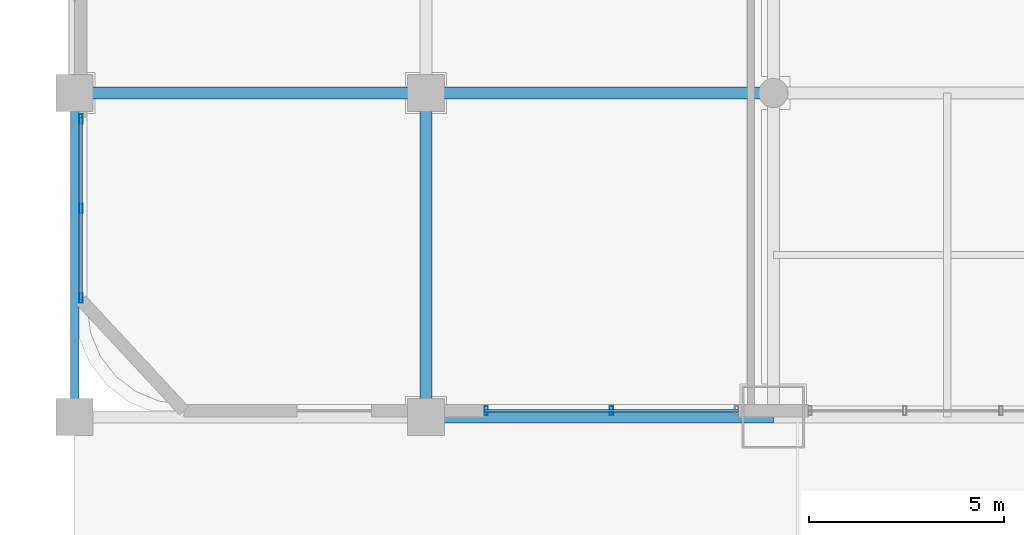
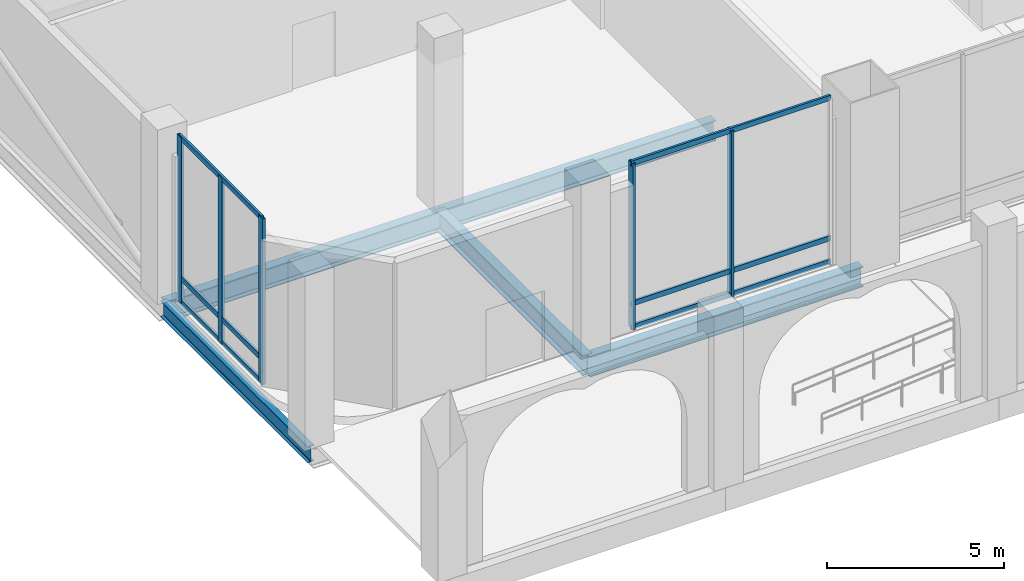
# One storey, part 2 of 32: 11 members, 5 beams, 2 elements without a shape of their own.
"""IFC4 building model written with IfcOpenShell, lengths in metres."""

from ifc_helpers import new_model, si_unit, direction, frame, origin, origin_2d, place, context, subcontext, project, spatial, hollow_rectangle, i_section, extrude, material, material_profile, profile_set, type_object, element, aggregate, save


model = new_model("IFC4")

# Units and contexts
model_context = context("Model", 3, precision=1e-05, world=origin(), true_north=direction((0.0, 1.0)))
body_context = subcontext(model_context, "Body", "Model", "MODEL_VIEW")
ifc_project = project(units=[si_unit("LENGTHUNIT", "METRE"), si_unit("AREAUNIT", "SQUARE_METRE"), si_unit("VOLUMEUNIT", "CUBIC_METRE"), si_unit("PLANEANGLEUNIT", "RADIAN"), si_unit("MASSUNIT", "GRAM", prefix="KILO")], contexts=[model_context])

# Site, building, storey
site_placement = place(None, origin())
site = spatial("IfcSite", under=ifc_project, at=site_placement, CompositionType="ELEMENT")
building_placement = place(site_placement, origin())
building = spatial("IfcBuilding", under=site, at=building_placement, Name="Punatoya Terracotta Tower", CompositionType="ELEMENT")
storey_placement = place(building_placement, origin())
storey = spatial("IfcBuildingStorey", under=building, at=storey_placement, Name="L00", CompositionType="ELEMENT", Elevation=0.0)

# Beams
ifc_material_1 = material(Name="Steel S355", Category="steel")
ifc_material_profile_1 = material_profile(ifc_material_1, i_section(OverallWidth=0.300048828125, OverallDepth=0.699951171875, WebThickness=0.01708984375, FlangeThickness=0.031982421875, FilletRadius=0.01806640625, at=origin_2d()))
ifc_profile_set_1 = profile_set([ifc_material_profile_1], Name="Steel S355")
beam_type_1 = type_object("IfcBeamType", Name="BM-PRI-700", PredefinedType="BEAM", material=ifc_profile_set_1)
beam_1_placement = place(storey_placement, frame((-28.0, -17.5, -0.6298828125), z_axis=(1.0, 0.0, 0.0), x_axis=(0.0, 1.0, 0.0)))
element("IfcBeam", 1, at=beam_1_placement, inside=storey, type_object=beam_type_1, Name="BM-L00-BW2", PredefinedType="BEAM", context=body_context, shape_type="SweptSolid", body=[
    extrude(i_section(OverallWidth=0.300048828125, OverallDepth=0.699951171875, WebThickness=0.01708984375, FlangeThickness=0.031982421875, FilletRadius=0.01806640625, at=origin_2d()), origin(), (0.0, 0.0, 1.0), 8.89990234375),
])
beam_2_placement = place(storey_placement, frame((-37.0, -9.199951171875, -0.6298828125), z_axis=(1.0, 0.0, 0.0), x_axis=(0.0, 1.0, 0.0)))
element("IfcBeam", 2, at=beam_2_placement, inside=storey, type_object=beam_type_1, Name="BM-L00-CW1", PredefinedType="BEAM", context=body_context, shape_type="SweptSolid", body=[
    extrude(i_section(OverallWidth=0.300048828125, OverallDepth=0.699951171875, WebThickness=0.01708984375, FlangeThickness=0.031982421875, FilletRadius=0.01806640625, at=origin_2d()), origin(), (0.0, 0.0, 1.0), 9.0),
])
beam_3_placement = place(storey_placement, frame((-28.0, -9.199951171875, -0.6298828125), z_axis=(1.0, 0.0, 0.0), x_axis=(0.0, 1.0, 0.0)))
element("IfcBeam", 3, at=beam_3_placement, inside=storey, type_object=beam_type_1, Name="BM-L00-CW2", PredefinedType="BEAM", context=body_context, shape_type="SweptSolid", body=[
    extrude(i_section(OverallWidth=0.300048828125, OverallDepth=0.699951171875, WebThickness=0.01708984375, FlangeThickness=0.031982421875, FilletRadius=0.01806640625, at=origin_2d()), origin(), (0.0, 0.0, 1.0), 8.89990234375),
])
beam_4_placement = place(storey_placement, frame((-28.0, -17.5, -0.6298828125), z_axis=(0.0, 1.0, 0.0), x_axis=(-1.0, 0.0, 0.0)))
element("IfcBeam", 4, at=beam_4_placement, inside=storey, type_object=beam_type_1, Name="BM-L00-X28W--17", PredefinedType="BEAM", context=body_context, shape_type="SweptSolid", body=[
    extrude(i_section(OverallWidth=0.300048828125, OverallDepth=0.699951171875, WebThickness=0.01708984375, FlangeThickness=0.031982421875, FilletRadius=0.01806640625, at=origin_2d()), origin(), (0.0, 0.0, 1.0), 8.300048828125),
])
ifc_material_profile_2 = material_profile(ifc_material_1, i_section(OverallWidth=0.2099609375, OverallDepth=0.550048828125, WebThickness=0.010986328125, FlangeThickness=0.01708984375, FilletRadius=0.01806640625, at=origin_2d()))
ifc_profile_set_2 = profile_set([ifc_material_profile_2], Name="Steel S355")
beam_type_2 = type_object("IfcBeamType", Name="BM-SPN-550", PredefinedType="SPANDREL", material=ifc_profile_set_2)
beam_5_placement = place(storey_placement, frame((-37.0, -17.5, -0.554931640625), z_axis=(0.0, 1.0, 0.0), x_axis=(-1.0, 0.0, 0.0)))
element("IfcBeam", 5, at=beam_5_placement, inside=storey, type_object=beam_type_2, Name="BM-L00-X37W--17", PredefinedType="SPANDREL", context=body_context, shape_type="SweptSolid", body=[
    extrude(i_section(OverallWidth=0.2099609375, OverallDepth=0.550048828125, WebThickness=0.010986328125, FlangeThickness=0.01708984375, FilletRadius=0.01806640625, at=origin_2d()), origin(), (0.0, 0.0, 1.0), 8.300048828125),
])

# Curtain wall, members
ifc_material_2 = material(Name="Aluminium 6063-T6 + Double Low-E Glass", Category="aluminium")
curtain_wall_type = type_object("IfcCurtainWallType", Name="CW-POD", PredefinedType="NOTDEFINED", material=ifc_material_2)
curtain_wall_1_placement = place(storey_placement, origin())
curtain_wall_1 = element("IfcCurtainWall", 6, at=curtain_wall_1_placement, inside=storey, type_object=curtain_wall_type, Name="L00 Curtain Wall CWP-L00-S1A", PredefinedType="NOTDEFINED")
ifc_material_3 = material(Name="Aluminium 6063-T6", Category="aluminium")
ifc_material_profile_3 = material_profile(ifc_material_3, hollow_rectangle(XDim=0.0849609375, YDim=0.239990234375, WallThickness=0.0048828125, at=origin_2d()))
ifc_profile_set_3 = profile_set([ifc_material_profile_3], Name="Aluminium 6063-T6")
member_type_1 = type_object("IfcMemberType", Name="CW-MUL-POD", PredefinedType="MULLION", material=ifc_profile_set_3)
member_1_placement = place(storey_placement, frame((-26.455078125, -17.340087890625, 0.0), z_axis=(0.0, 0.0, 1.0), x_axis=(1.0, 0.0, 0.0)))
member_1 = element("IfcMember", 7, at=member_1_placement, type_object=member_type_1, Name="CWP-L00-S1A Mullion 00", PredefinedType="MULLION", context=body_context, shape_type="SweptSolid", body=[
    extrude(hollow_rectangle(XDim=0.0849609375, YDim=0.239990234375, WallThickness=0.0048828125, at=origin_2d()), origin(), (0.0, 0.0, 1.0), 5.719970703125),
])
member_2_placement = place(storey_placement, frame((-23.25, -17.340087890625, 0.0), z_axis=(0.0, 0.0, 1.0), x_axis=(1.0, 0.0, 0.0)))
member_2 = element("IfcMember", 8, at=member_2_placement, type_object=member_type_1, Name="CWP-L00-S1A Mullion 01", PredefinedType="MULLION", context=body_context, shape_type="SweptSolid", body=[
    extrude(hollow_rectangle(XDim=0.0849609375, YDim=0.239990234375, WallThickness=0.0048828125, at=origin_2d()), origin(), (0.0, 0.0, 1.0), 5.719970703125),
])

curtain_wall_2_placement = place(storey_placement, origin())
curtain_wall_2 = element("IfcCurtainWall", 9, at=curtain_wall_2_placement, inside=storey, type_object=curtain_wall_type, Name="L00 Curtain Wall CWP-L00-W1", PredefinedType="NOTDEFINED")
member_3_placement = place(storey_placement, frame((-36.840087890625, -14.455078125, 0.0), z_axis=(0.0, 0.0, 1.0), x_axis=(1.0, 0.0, 0.0)))
member_3 = element("IfcMember", 10, at=member_3_placement, type_object=member_type_1, Name="CWP-L00-W1 Mullion 00", PredefinedType="MULLION", context=body_context, shape_type="SweptSolid", body=[
    extrude(hollow_rectangle(XDim=0.0849609375, YDim=0.239990234375, WallThickness=0.0048828125, at=origin_2d()), origin(), (0.0, 0.0, 1.0), 5.719970703125),
])
member_4_placement = place(storey_placement, frame((-36.840087890625, -12.159912109375, 0.0), z_axis=(0.0, 0.0, 1.0), x_axis=(1.0, 0.0, 0.0)))
member_4 = element("IfcMember", 11, at=member_4_placement, type_object=member_type_1, Name="CWP-L00-W1 Mullion 01", PredefinedType="MULLION", context=body_context, shape_type="SweptSolid", body=[
    extrude(hollow_rectangle(XDim=0.0849609375, YDim=0.239990234375, WallThickness=0.0048828125, at=origin_2d()), origin(), (0.0, 0.0, 1.0), 5.719970703125),
])
member_5_placement = place(storey_placement, frame((-36.840087890625, -9.864990234375, 0.0), z_axis=(0.0, 0.0, 1.0), x_axis=(1.0, 0.0, 0.0)))
member_5 = element("IfcMember", 12, at=member_5_placement, type_object=member_type_1, Name="CWP-L00-W1 Mullion 02", PredefinedType="MULLION", context=body_context, shape_type="SweptSolid", body=[
    extrude(hollow_rectangle(XDim=0.0849609375, YDim=0.239990234375, WallThickness=0.0048828125, at=origin_2d()), origin(), (0.0, 0.0, 1.0), 5.719970703125),
])

# Member
ifc_material_profile_4 = material_profile(ifc_material_3, hollow_rectangle(XDim=0.074951171875, YDim=0.175048828125, WallThickness=0.00439453125, at=origin_2d()))
ifc_profile_set_4 = profile_set([ifc_material_profile_4], Name="Aluminium 6063-T6")
member_type_2 = type_object("IfcMemberType", Name="CW-TRN-POD", PredefinedType="USERDEFINED", material=ifc_profile_set_4)
member_6_placement = place(storey_placement, frame((-26.5, -17.340087890625, 0.0400390625), z_axis=(1.0, 0.0, 0.0), x_axis=(0.0, 1.0, 0.0)))
member_6 = element("IfcMember", 13, at=member_6_placement, type_object=member_type_2, Name="CWP-L00-S1A Transom 1", ObjectType="TRANSOM", PredefinedType="USERDEFINED", context=body_context, shape_type="SweptSolid", body=[
    extrude(hollow_rectangle(XDim=0.074951171875, YDim=0.175048828125, WallThickness=0.00439453125, at=origin_2d()), origin(), (0.0, 0.0, 1.0), 6.5),
])

member_7_placement = place(storey_placement, frame((-26.5, -17.340087890625, 0.85009765625), z_axis=(1.0, 0.0, 0.0), x_axis=(0.0, 1.0, 0.0)))
member_7 = element("IfcMember", 14, at=member_7_placement, type_object=member_type_2, Name="CWP-L00-S1A Transom 2", ObjectType="TRANSOM", PredefinedType="USERDEFINED", context=body_context, shape_type="SweptSolid", body=[
    extrude(hollow_rectangle(XDim=0.074951171875, YDim=0.175048828125, WallThickness=0.00439453125, at=origin_2d()), origin(), (0.0, 0.0, 1.0), 6.5),
])

member_8_placement = place(storey_placement, frame((-26.5, -17.340087890625, 5.679931640625), z_axis=(1.0, 0.0, 0.0), x_axis=(0.0, 1.0, 0.0)))
member_8 = element("IfcMember", 15, at=member_8_placement, type_object=member_type_2, Name="CWP-L00-S1A Transom 3", ObjectType="TRANSOM", PredefinedType="USERDEFINED", context=body_context, shape_type="SweptSolid", body=[
    extrude(hollow_rectangle(XDim=0.074951171875, YDim=0.175048828125, WallThickness=0.00439453125, at=origin_2d()), origin(), (0.0, 0.0, 1.0), 6.5),
])

aggregate(curtain_wall_1, [member_1, member_2, member_6, member_7, member_8])

member_9_placement = place(storey_placement, frame((-36.840087890625, -14.5, 0.0400390625), z_axis=(0.0, 1.0, 0.0), x_axis=(-1.0, 0.0, 0.0)))
member_9 = element("IfcMember", 16, at=member_9_placement, type_object=member_type_2, Name="CWP-L00-W1 Transom 1", ObjectType="TRANSOM", PredefinedType="USERDEFINED", context=body_context, shape_type="SweptSolid", body=[
    extrude(hollow_rectangle(XDim=0.074951171875, YDim=0.175048828125, WallThickness=0.00439453125, at=origin_2d()), origin(), (0.0, 0.0, 1.0), 4.679931640625),
])

member_10_placement = place(storey_placement, frame((-36.840087890625, -14.5, 0.85009765625), z_axis=(0.0, 1.0, 0.0), x_axis=(-1.0, 0.0, 0.0)))
member_10 = element("IfcMember", 17, at=member_10_placement, type_object=member_type_2, Name="CWP-L00-W1 Transom 2", ObjectType="TRANSOM", PredefinedType="USERDEFINED", context=body_context, shape_type="SweptSolid", body=[
    extrude(hollow_rectangle(XDim=0.074951171875, YDim=0.175048828125, WallThickness=0.00439453125, at=origin_2d()), origin(), (0.0, 0.0, 1.0), 4.679931640625),
])

member_11_placement = place(storey_placement, frame((-36.840087890625, -14.5, 5.679931640625), z_axis=(0.0, 1.0, 0.0), x_axis=(-1.0, 0.0, 0.0)))
member_11 = element("IfcMember", 18, at=member_11_placement, type_object=member_type_2, Name="CWP-L00-W1 Transom 3", ObjectType="TRANSOM", PredefinedType="USERDEFINED", context=body_context, shape_type="SweptSolid", body=[
    extrude(hollow_rectangle(XDim=0.074951171875, YDim=0.175048828125, WallThickness=0.00439453125, at=origin_2d()), origin(), (0.0, 0.0, 1.0), 4.679931640625),
])

aggregate(curtain_wall_2, [member_3, member_4, member_5, member_9, member_10, member_11])

save(model, "model.ifc")
